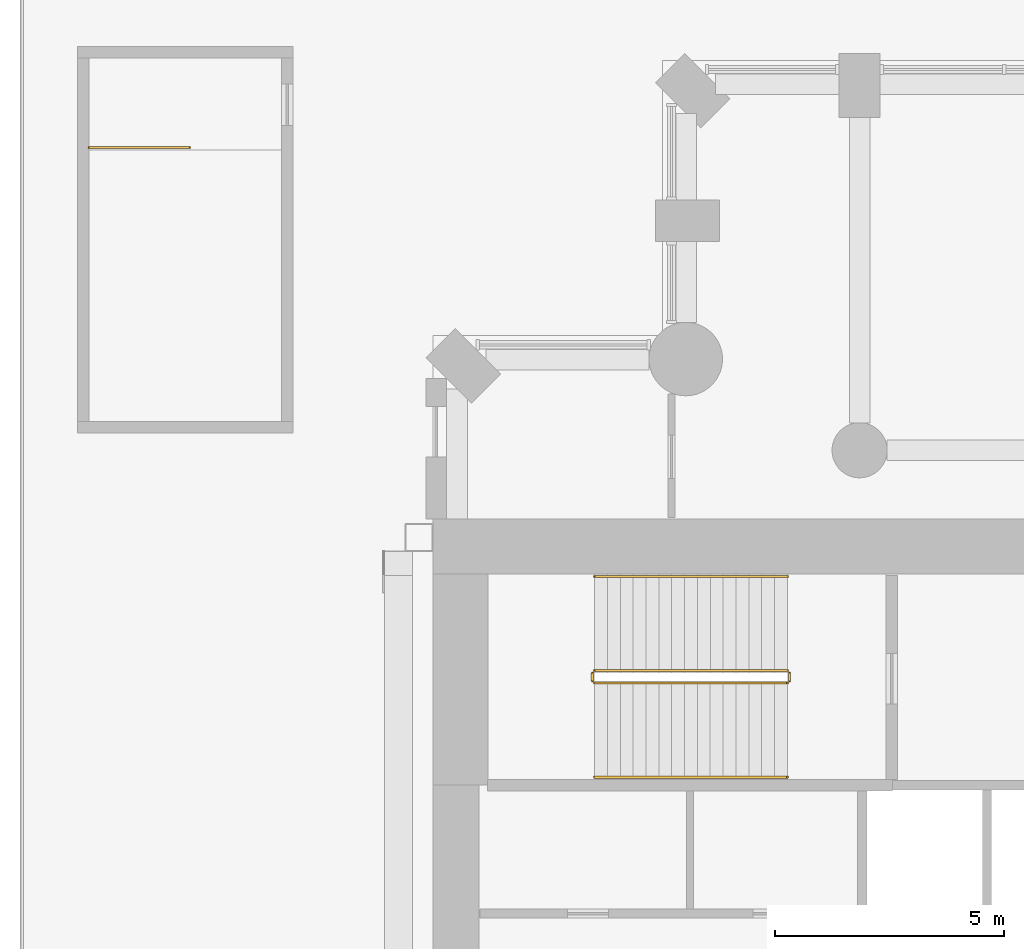
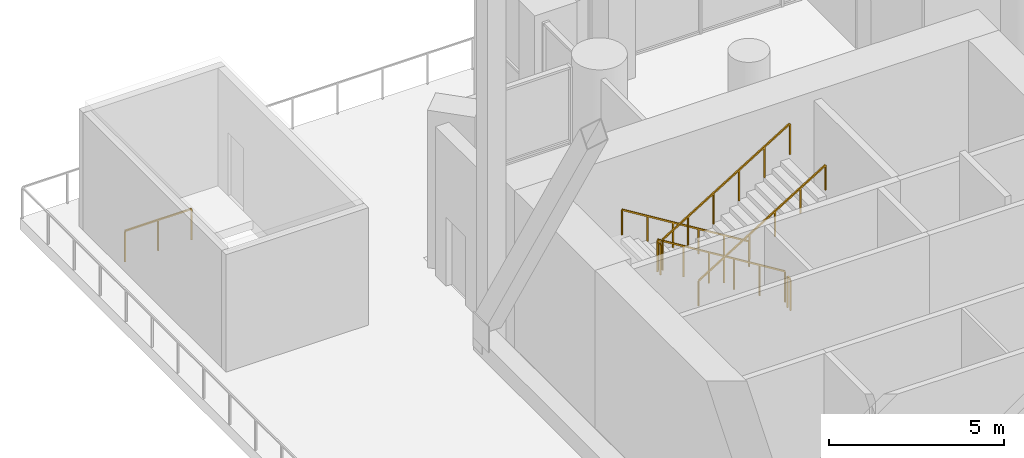
# One storey, part 25 of 26: 7 railings.
"""IFC4 building model written with IfcOpenShell, lengths in metres."""

from ifc_helpers import new_model, si_unit, direction, frame, origin, origin_2d, place, context, subcontext, project, spatial, rectangle, extrude, material, type_object, element, save


model = new_model("IFC4")

# Units and contexts
model_context = context("Model", 3, precision=1e-05, world=origin(), true_north=direction((0.0, 1.0)))
body_context = subcontext(model_context, "Body", "Model", "MODEL_VIEW")
ifc_project = project(units=[si_unit("LENGTHUNIT", "METRE"), si_unit("AREAUNIT", "SQUARE_METRE"), si_unit("VOLUMEUNIT", "CUBIC_METRE"), si_unit("PLANEANGLEUNIT", "RADIAN"), si_unit("MASSUNIT", "GRAM", prefix="KILO")], contexts=[model_context])

# Site, building, storey
site_placement = place(None, origin())
site = spatial("IfcSite", under=ifc_project, at=site_placement, CompositionType="ELEMENT")
building_placement = place(site_placement, origin())
building = spatial("IfcBuilding", under=site, at=building_placement, Name="Cypress Arch Tower", CompositionType="ELEMENT")
storey_placement = place(building_placement, frame((0.0, 0.0, 50.0)))
storey = spatial("IfcBuildingStorey", under=building, at=storey_placement, Name="L06", CompositionType="ELEMENT", Elevation=50.0)

# Railings
ifc_material_1 = material(Name="Black powder-coated steel square bar 48 mm", Category="steel")
railing_type_1 = type_object("IfcRailingType", Name="Stair handrail HR1", PredefinedType="HANDRAIL", material=ifc_material_1)
railing_1_placement = place(storey_placement, frame((-22.27490234375, 14.75, 0.171875)))
element("IfcRailing", 1, at=railing_1_placement, inside=storey, type_object=railing_type_1, Name="L06 B stair handrail 1", PredefinedType="HANDRAIL", context=body_context, shape_type="SweptSolid", body=[
    extrude(rectangle(XDim=0.048095703125, YDim=0.048095703125, at=origin_2d()), frame((0.0, 0.0, 0.8759765625), z_axis=(-0.852256472501, 0.0, 0.523124177495), x_axis=(0.0, -1.0, 0.0)), (0.0, 0.0, 1.0), 4.92822265625),
    extrude(rectangle(XDim=0.0419921875, YDim=0.0419921875, at=origin_2d()), origin(), (0.0, 0.0, 1.0), 0.851806640625),
    extrude(rectangle(XDim=0.0419921875, YDim=0.0419921875, at=origin_2d()), frame((-0.840087890625, 0.0, 0.515625)), (0.0, 0.0, 1.0), 0.851806640625),
    extrude(rectangle(XDim=0.0419921875, YDim=0.0419921875, at=origin_2d()), frame((-1.68017578125, 0.0, 1.03125)), (0.0, 0.0, 1.0), 0.851806640625),
    extrude(rectangle(XDim=0.0419921875, YDim=0.0419921875, at=origin_2d()), frame((-2.52001953125, 0.0, 1.546875)), (0.0, 0.0, 1.0), 0.851806640625),
    extrude(rectangle(XDim=0.0419921875, YDim=0.0419921875, at=origin_2d()), frame((-3.360107421875, 0.0, 2.0625)), (0.0, 0.0, 1.0), 0.851806640625),
    extrude(rectangle(XDim=0.0419921875, YDim=0.0419921875, at=origin_2d()), frame((-4.2001953125, 0.0, 2.578125)), (0.0, 0.0, 1.0), 0.851806640625),
])
railing_2_placement = place(storey_placement, frame((-26.47509765625, 10.375, 2.921875)))
element("IfcRailing", 2, at=railing_2_placement, inside=storey, type_object=railing_type_1, Name="L06 B stair handrail 2", PredefinedType="HANDRAIL", context=body_context, shape_type="SweptSolid", body=[
    extrude(rectangle(XDim=0.048095703125, YDim=0.048095703125, at=origin_2d()), frame((0.0, 0.0, 0.8759765625), z_axis=(0.852256472501, 0.0, 0.523124177495), x_axis=(0.0, 1.0, 0.0)), (0.0, 0.0, 1.0), 4.92822265625),
    extrude(rectangle(XDim=0.0419921875, YDim=0.0419921875, at=origin_2d()), origin(), (0.0, 0.0, 1.0), 0.851806640625),
    extrude(rectangle(XDim=0.0419921875, YDim=0.0419921875, at=origin_2d()), frame((0.840087890625, 0.0, 0.515625)), (0.0, 0.0, 1.0), 0.851806640625),
    extrude(rectangle(XDim=0.0419921875, YDim=0.0419921875, at=origin_2d()), frame((1.68017578125, 0.0, 1.03125)), (0.0, 0.0, 1.0), 0.851806640625),
    extrude(rectangle(XDim=0.0419921875, YDim=0.0419921875, at=origin_2d()), frame((2.52001953125, 0.0, 1.546875)), (0.0, 0.0, 1.0), 0.851806640625),
    extrude(rectangle(XDim=0.0419921875, YDim=0.0419921875, at=origin_2d()), frame((3.360107421875, 0.0, 2.0625)), (0.0, 0.0, 1.0), 0.851806640625),
    extrude(rectangle(XDim=0.0419921875, YDim=0.0419921875, at=origin_2d()), frame((4.2001953125, 0.0, 2.578125)), (0.0, 0.0, 1.0), 0.851806640625),
])
ifc_material_2 = material(Name="Black powder-coated steel balusters", Category="steel")
railing_type_2 = type_object("IfcRailingType", Name="Stair well guard G1", PredefinedType="GUARDRAIL", material=ifc_material_2)
railing_3_placement = place(storey_placement, frame((-22.27490234375, 12.699951171875, 0.171875)))
element("IfcRailing", 3, at=railing_3_placement, inside=storey, type_object=railing_type_2, Name="L06 B stair guard 1", PredefinedType="GUARDRAIL", context=body_context, shape_type="SweptSolid", body=[
    extrude(rectangle(XDim=0.048095703125, YDim=0.048095703125, at=origin_2d()), frame((0.0, 0.0, 1.076171875), z_axis=(-0.852256472501, 0.0, 0.523124177495), x_axis=(0.0, -1.0, 0.0)), (0.0, 0.0, 1.0), 4.92822265625),
    extrude(rectangle(XDim=0.0419921875, YDim=0.0419921875, at=origin_2d()), origin(), (0.0, 0.0, 1.0), 1.052001953125),
    extrude(rectangle(XDim=0.0419921875, YDim=0.0419921875, at=origin_2d()), frame((-0.840087890625, 0.0, 0.515625)), (0.0, 0.0, 1.0), 1.052001953125),
    extrude(rectangle(XDim=0.0419921875, YDim=0.0419921875, at=origin_2d()), frame((-1.68017578125, 0.0, 1.03125)), (0.0, 0.0, 1.0), 1.052001953125),
    extrude(rectangle(XDim=0.0419921875, YDim=0.0419921875, at=origin_2d()), frame((-2.52001953125, 0.0, 1.546875)), (0.0, 0.0, 1.0), 1.052001953125),
    extrude(rectangle(XDim=0.0419921875, YDim=0.0419921875, at=origin_2d()), frame((-3.360107421875, 0.0, 2.0625)), (0.0, 0.0, 1.0), 1.052001953125),
    extrude(rectangle(XDim=0.0419921875, YDim=0.0419921875, at=origin_2d()), frame((-4.2001953125, 0.0, 2.578125)), (0.0, 0.0, 1.0), 1.052001953125),
])
railing_4_placement = place(storey_placement, frame((-26.52490234375, 12.64990234375, 2.75)))
element("IfcRailing", 4, at=railing_4_placement, inside=storey, type_object=railing_type_2, Name="L06 B stair guard 2", PredefinedType="GUARDRAIL", context=body_context, shape_type="SweptSolid", body=[
    extrude(rectangle(XDim=0.048095703125, YDim=0.048095703125, at=origin_2d()), frame((0.0, 0.0, 1.076171875), z_axis=(0.0, -1.0, 0.0), x_axis=(1.0, 0.0, 0.0)), (0.0, 0.0, 1.0), 0.1748046875),
    extrude(rectangle(XDim=0.0419921875, YDim=0.0419921875, at=origin_2d()), origin(), (0.0, 0.0, 1.0), 1.052001953125),
    extrude(rectangle(XDim=0.0419921875, YDim=0.0419921875, at=origin_2d()), frame((0.0, -0.1748046875, 0.0)), (0.0, 0.0, 1.0), 1.052001953125),
])
railing_5_placement = place(storey_placement, frame((-26.47509765625, 12.425048828125, 2.921875)))
element("IfcRailing", 5, at=railing_5_placement, inside=storey, type_object=railing_type_2, Name="L06 B stair guard 3", PredefinedType="GUARDRAIL", context=body_context, shape_type="SweptSolid", body=[
    extrude(rectangle(XDim=0.048095703125, YDim=0.048095703125, at=origin_2d()), frame((0.0, 0.0, 1.076171875), z_axis=(0.852256472501, 0.0, 0.523124177495), x_axis=(0.0, 1.0, 0.0)), (0.0, 0.0, 1.0), 4.92822265625),
    extrude(rectangle(XDim=0.0419921875, YDim=0.0419921875, at=origin_2d()), origin(), (0.0, 0.0, 1.0), 1.052001953125),
    extrude(rectangle(XDim=0.0419921875, YDim=0.0419921875, at=origin_2d()), frame((0.840087890625, 0.0, 0.515625)), (0.0, 0.0, 1.0), 1.052001953125),
    extrude(rectangle(XDim=0.0419921875, YDim=0.0419921875, at=origin_2d()), frame((1.68017578125, 0.0, 1.03125)), (0.0, 0.0, 1.0), 1.052001953125),
    extrude(rectangle(XDim=0.0419921875, YDim=0.0419921875, at=origin_2d()), frame((2.52001953125, 0.0, 1.546875)), (0.0, 0.0, 1.0), 1.052001953125),
    extrude(rectangle(XDim=0.0419921875, YDim=0.0419921875, at=origin_2d()), frame((3.360107421875, 0.0, 2.0625)), (0.0, 0.0, 1.0), 1.052001953125),
    extrude(rectangle(XDim=0.0419921875, YDim=0.0419921875, at=origin_2d()), frame((4.2001953125, 0.0, 2.578125)), (0.0, 0.0, 1.0), 1.052001953125),
])
railing_6_placement = place(storey_placement, frame((-22.22509765625, 12.64990234375, 0.0)))
element("IfcRailing", 6, at=railing_6_placement, inside=storey, type_object=railing_type_2, Name="L06 B stair guard 4", PredefinedType="GUARDRAIL", context=body_context, shape_type="SweptSolid", body=[
    extrude(rectangle(XDim=0.048095703125, YDim=0.048095703125, at=origin_2d()), frame((0.0, 0.0, 1.076171875), z_axis=(0.0, -1.0, 0.0), x_axis=(1.0, 0.0, 0.0)), (0.0, 0.0, 1.0), 0.1748046875),
    extrude(rectangle(XDim=0.0419921875, YDim=0.0419921875, at=origin_2d()), origin(), (0.0, 0.0, 1.0), 1.052001953125),
    extrude(rectangle(XDim=0.0419921875, YDim=0.0419921875, at=origin_2d()), frame((0.0, -0.1748046875, 0.0)), (0.0, 0.0, 1.0), 1.052001953125),
])
railing_7_placement = place(storey_placement, frame((-37.5, 24.10009765625, 0.0)))
element("IfcRailing", 7, at=railing_7_placement, inside=storey, type_object=railing_type_2, Name="L06 P2 top well guard 1", PredefinedType="GUARDRAIL", context=body_context, shape_type="SweptSolid", body=[
    extrude(rectangle(XDim=0.048095703125, YDim=0.048095703125, at=origin_2d()), frame((0.0, 0.0, 1.076171875), z_axis=(1.0, 0.0, 0.0), x_axis=(0.0, 1.0, 0.0)), (0.0, 0.0, 1.0), 2.199951171875),
    extrude(rectangle(XDim=0.0419921875, YDim=0.0419921875, at=origin_2d()), origin(), (0.0, 0.0, 1.0), 1.052001953125),
    extrude(rectangle(XDim=0.0419921875, YDim=0.0419921875, at=origin_2d()), frame((1.10009765625, 0.0, 0.0)), (0.0, 0.0, 1.0), 1.052001953125),
    extrude(rectangle(XDim=0.0419921875, YDim=0.0419921875, at=origin_2d()), frame((2.199951171875, 0.0, 0.0)), (0.0, 0.0, 1.0), 1.052001953125),
])

save(model, "model.ifc")
